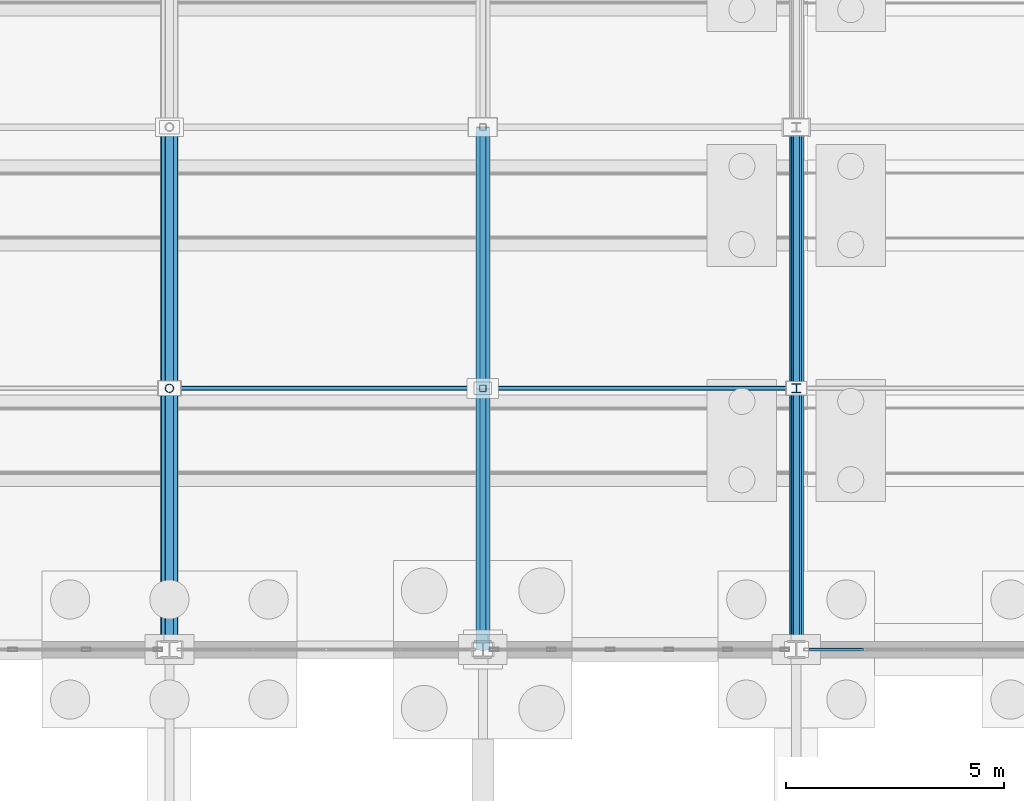
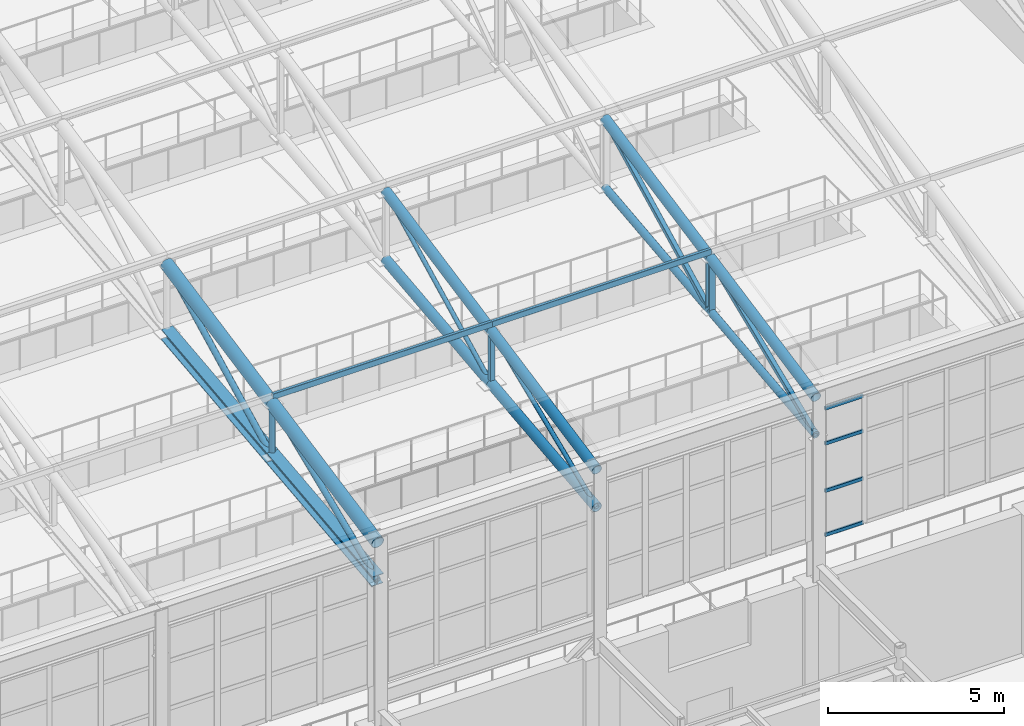
# One storey, part 171 of 293: 27 members, 1 element without a shape of its own.
"""IFC4 building model written with IfcOpenShell, lengths in metres."""

import ifcopenshell
import ifcopenshell.guid

model = None  # the IFC model being written
_history = None  # IfcOwnerHistory: only IFC2X3 demands one
_inside = {}  # id of a spatial element -> (the spatial element, [elements in it])
_under = {}  # id of a project, library or spatial element -> (it, [spatial elements below it])
_declared = {}  # id of a project -> (the project, [libraries it declares])
_typed = {}  # id of a type object -> (the type object, [elements of that type])
_made_of = {}  # id of a material, layer set ... -> (it, [elements and type objects made of it])


def new_model(schema):
    """Start an empty IFC model of exactly this schema.

    Asked for "IFC4X3", IfcOpenShell would pick the latest addendum, in which some entities
    have other attributes; the version numbers below select the first issue.
    IFC2X3 requires an IfcOwnerHistory on every rooted entity: one is made here for all.
    """
    global model, _history
    if schema == "IFC4X3":
        model = ifcopenshell.file(schema_version=(4, 3, 0, 0))
    else:
        model = ifcopenshell.file(schema=schema)
    _inside.clear()
    _under.clear()
    _declared.clear()
    _typed.clear()
    _made_of.clear()
    _history = None
    if model.schema == "IFC2X3":
        org = make("IfcOrganization", Name="unknown")
        user = make(
            "IfcPersonAndOrganization",
            ThePerson=make("IfcPerson", FamilyName="unknown"),
            TheOrganization=org,
        )
        app = make(
            "IfcApplication",
            ApplicationDeveloper=org,
            Version="unknown",
            ApplicationFullName="unknown",
            ApplicationIdentifier="unknown",
        )
        _history = make(
            "IfcOwnerHistory",
            OwningUser=user,
            OwningApplication=app,
            ChangeAction="ADDED",
            CreationDate=0,
        )
    return model


def make(cls, **values):
    """One entity of the class cls with the attributes given. An attribute that is None is left unset."""
    return model.create_entity(
        cls, **{name: value for name, value in values.items() if value is not None}
    )


def rooted(cls, **values):
    """An entity with a GlobalId (a new one), such as an element, a storey or a relation."""
    return make(cls, GlobalId=ifcopenshell.guid.new(), OwnerHistory=_history, **values)


def si_unit(unit_type, name, prefix=None):
    """IfcSIUnit, for example si_unit("LENGTHUNIT", "METRE", prefix="MILLI")."""
    return make("IfcSIUnit", UnitType=unit_type, Prefix=prefix, Name=name)


def assignment(units):
    """IfcUnitAssignment: the units of a project."""
    return None if units is None else make("IfcUnitAssignment", Units=units)


def point(xyz):
    """IfcCartesianPoint."""
    return None if xyz is None else make("IfcCartesianPoint", Coordinates=xyz)


def direction(xyz):
    """IfcDirection."""
    return None if xyz is None else make("IfcDirection", DirectionRatios=xyz)


def frame(location, z_axis=None, x_axis=None):
    """IfcAxis2Placement3D, a coordinate frame: its origin and axes. An axis left out is left unset."""
    return make(
        "IfcAxis2Placement3D",
        Location=point(location),
        Axis=direction(z_axis),
        RefDirection=direction(x_axis),
    )


def frame_2d(location, x_axis=None):
    """IfcAxis2Placement2D, a coordinate frame in the plane: its origin and x axis."""
    return make(
        "IfcAxis2Placement2D", Location=point(location), RefDirection=direction(x_axis)
    )


def origin():
    """The frame at (0, 0, 0) with its axes left unset."""
    return frame((0.0, 0.0, 0.0))


def origin_2d():
    """The frame at (0, 0) in the plane with its x axis left unset."""
    return frame_2d((0.0, 0.0))


def place(relative_to, where):
    """IfcLocalPlacement: puts the frame where relative to a parent placement (None: the world)."""
    return make(
        "IfcLocalPlacement", PlacementRelTo=relative_to, RelativePlacement=where
    )


def context(
    kind, dimensions, precision=None, world=None, true_north=None, identifier=None
):
    """IfcGeometricRepresentationContext, for example the 3D "Model" context."""
    return make(
        "IfcGeometricRepresentationContext",
        ContextIdentifier=identifier,
        ContextType=kind,
        CoordinateSpaceDimension=dimensions,
        Precision=precision,
        WorldCoordinateSystem=world,
        TrueNorth=true_north,
    )


def subcontext(parent, identifier, kind, view, scale=None):
    """IfcGeometricRepresentationSubContext, for example "Body" below "Model"."""
    return make(
        "IfcGeometricRepresentationSubContext",
        ContextIdentifier=identifier,
        ContextType=kind,
        ParentContext=parent,
        TargetScale=scale,
        TargetView=view,
    )


def project(units=None, contexts=None):
    """IfcProject with its units and contexts."""
    return rooted(
        "IfcProject",
        Name="project",
        RepresentationContexts=contexts,
        UnitsInContext=assignment(units),
    )


def spatial(cls, under=None, at=None, **own):
    """A site, building, storey or space (cls), placed at a placement, below another one or the project."""
    s = rooted(cls, ObjectPlacement=at, **own)
    if under is not None:
        _under.setdefault(under.id(), (under, []))[1].append(s)
    return s


def profile(cls, at=None, kind="AREA", **sizes):
    """A parametric profile (cls). Its sizes go by their IFC names, for example OverallWidth=200.0."""
    return make(cls, ProfileType=kind, Position=at, **sizes)


def hollow_rectangle(**sizes):
    """IfcRectangleHollowProfileDef."""
    return profile("IfcRectangleHollowProfileDef", **sizes)


def hollow_circle(**sizes):
    """IfcCircleHollowProfileDef."""
    return profile("IfcCircleHollowProfileDef", **sizes)


def i_section(**sizes):
    """IfcIShapeProfileDef."""
    return profile("IfcIShapeProfileDef", **sizes)


def extrude(swept, where, along, depth):
    """IfcExtrudedAreaSolid: the profile swept, set in the frame where, extruded along a direction by depth."""
    return make(
        "IfcExtrudedAreaSolid",
        SweptArea=swept,
        Position=where,
        ExtrudedDirection=direction(along),
        Depth=depth,
    )


def shape(context_of_items, identifier, shape_type, items):
    """IfcShapeRepresentation: the items that make up one representation, for example the "Body"."""
    return make(
        "IfcShapeRepresentation",
        ContextOfItems=context_of_items,
        RepresentationIdentifier=identifier,
        RepresentationType=shape_type,
        Items=items,
    )


def material(Name=None, Category=None):
    """IfcMaterial."""
    return make("IfcMaterial", Name=Name, Category=Category)


def layer(
    of_material, thickness, ventilated=None, Name=None, Category=None, Priority=None
):
    """IfcMaterialLayer: one layer of a wall or slab, of a material (None: an air gap)."""
    return make(
        "IfcMaterialLayer",
        Material=of_material,
        LayerThickness=thickness,
        IsVentilated=ventilated,
        Name=Name,
        Category=Category,
        Priority=Priority,
    )


def layer_set(layers, Name=None):
    """IfcMaterialLayerSet."""
    return make("IfcMaterialLayerSet", MaterialLayers=layers, LayerSetName=Name)


def material_profile(
    of_material, cross_section, Name=None, Category=None, Priority=None
):
    """IfcMaterialProfile: a cross section and its material."""
    return make(
        "IfcMaterialProfile",
        Name=Name,
        Material=of_material,
        Profile=cross_section,
        Priority=Priority,
        Category=Category,
    )


def profile_set(profiles, Name=None, composite=None):
    """IfcMaterialProfileSet."""
    return make(
        "IfcMaterialProfileSet",
        Name=Name,
        MaterialProfiles=profiles,
        CompositeProfile=composite,
    )


def made_of(thing, what):
    """Note that an element or type object is made of a material, layer set ...; save() writes the relation."""
    if what is not None:
        _made_of.setdefault(what.id(), (what, []))[1].append(thing)
    return thing


def type_object(cls, material=None, **own):
    """A type object (cls), such as IfcWallType, which elements share."""
    return made_of(rooted(cls, **own), material)


def element(
    cls,
    number,
    at=None,
    inside=None,
    cuts=None,
    type_object=None,
    material=None,
    context=None,
    identifier="Body",
    shape_type=None,
    held_by="IfcProductDefinitionShape",
    body=None,
    shapes=None,
    **own,
):
    """One element of the class cls, such as IfcWall. Its Tag is "e" and its number.

    at: its placement. inside: the storey or other place that contains it. cuts: it is an
    opening in that element (IfcRelVoidsElement). A single representation is given by context,
    identifier, shape_type and body (its items); several are given by shapes. held_by: the class
    of the entity that holds the representations. save() writes the other relations.
    """
    e = rooted(cls, Tag="e%d" % number, ObjectPlacement=at, **own)
    if body is not None:
        shapes = [shape(context, identifier, shape_type, body)]
    if shapes is not None:
        e.Representation = make(held_by, Representations=shapes)
    if inside is not None:
        _inside.setdefault(inside.id(), (inside, []))[1].append(e)
    if cuts is not None:
        rooted(
            "IfcRelVoidsElement", RelatingBuildingElement=cuts, RelatedOpeningElement=e
        )
    if type_object is not None:
        _typed.setdefault(type_object.id(), (type_object, []))[1].append(e)
    return made_of(e, material)


def aggregate(whole, parts):
    """IfcRelAggregates: a whole, such as a stair, and the parts it consists of."""
    return rooted("IfcRelAggregates", RelatingObject=whole, RelatedObjects=parts)


def save(model, path):
    """Write the relations noted so far, then the file.

    IfcRelAggregates (storeys below a building ...), IfcRelContainedInSpatialStructure (elements
    in a storey), IfcRelDefinesByType, IfcRelAssociatesMaterial and IfcRelDeclares: one each for
    every whole, place, type object, material and project.
    """
    for whole, parts in _under.values():
        aggregate(whole, parts)
    for where, things in _inside.values():
        rooted(
            "IfcRelContainedInSpatialStructure",
            RelatedElements=things,
            RelatingStructure=where,
        )
    for kind, things in _typed.values():
        rooted("IfcRelDefinesByType", RelatedObjects=things, RelatingType=kind)
    for what, things in _made_of.values():
        rooted("IfcRelAssociatesMaterial", RelatedObjects=things, RelatingMaterial=what)
    for by, libraries in _declared.values():
        rooted("IfcRelDeclares", RelatingContext=by, RelatedDefinitions=libraries)
    model.write(path)


model = new_model("IFC4")

# Units and contexts
model_context = context("Model", 3, precision=1e-05, world=origin(), true_north=direction((0.0, 1.0)))
body_context = subcontext(model_context, "Body", "Model", "MODEL_VIEW")
ifc_project = project(units=[si_unit("LENGTHUNIT", "METRE"), si_unit("AREAUNIT", "SQUARE_METRE"), si_unit("VOLUMEUNIT", "CUBIC_METRE"), si_unit("PLANEANGLEUNIT", "RADIAN"), si_unit("MASSUNIT", "GRAM", prefix="KILO")], contexts=[model_context])

# Site, building, storey
site_placement = place(None, origin())
site = spatial("IfcSite", under=ifc_project, at=site_placement, CompositionType="ELEMENT")
building_placement = place(site_placement, origin())
building = spatial("IfcBuilding", under=site, at=building_placement, Name="Kemerveld Promenade Tramway Depot", CompositionType="ELEMENT")
storey_placement = place(building_placement, origin())
storey = spatial("IfcBuildingStorey", under=building, at=storey_placement, Name="L00", CompositionType="ELEMENT", Elevation=0.0)

# Curtain wall, members
ifc_material_1 = material(Name="Bronze anodised aluminium and solar glass", Category="aluminium")
ifc_layer = layer(ifc_material_1, 0.159912109375)
ifc_layer_set = layer_set([ifc_layer], Name="CW-SYS-07")
curtain_wall_type = type_object("IfcCurtainWallType", Name="CW-SYS-07", PredefinedType="USERDEFINED", material=ifc_layer_set)
curtain_wall_placement = place(storey_placement, origin())
curtain_wall = element("IfcCurtainWall", 1, at=curtain_wall_placement, inside=storey, type_object=curtain_wall_type, Name="CW-V1-S-18", ObjectType="GLAZED_CURTAIN_WALL", PredefinedType="USERDEFINED")
ifc_material_2 = material(Name="Bronze anodised aluminium", Category="aluminium")
ifc_material_profile_1 = material_profile(ifc_material_2, hollow_rectangle(XDim=0.06005859375, YDim=0.1201171875, WallThickness=0.00390625, InnerFilletRadius=0.001953125, OuterFilletRadius=0.00390625, at=origin_2d()), Name="CW-TRN-120x60")
ifc_profile_set_1 = profile_set([ifc_material_profile_1], Name="Bronze anodised aluminium")
member_type_1 = type_object("IfcMemberType", Name="CW-TRN-A", PredefinedType="USERDEFINED", material=ifc_profile_set_1)
member_1_placement = place(storey_placement, frame((159.94140625, 84.0, 6.22998046875), z_axis=(-1.0, 0.0, 0.0), x_axis=(0.0, -1.0, 0.0)))
member_1 = element("IfcMember", 2, at=member_1_placement, type_object=member_type_1, Name="CW07 transom 5.1", ObjectType="TRANSOM", PredefinedType="USERDEFINED", context=body_context, shape_type="SweptSolid", body=[
    extrude(hollow_rectangle(XDim=0.06005859375, YDim=0.1201171875, WallThickness=0.00390625, InnerFilletRadius=0.001953125, OuterFilletRadius=0.00390625, at=origin_2d()), origin(), (0.0, 0.0, 1.0), 1.253173828125),
])
member_2_placement = place(storey_placement, frame((159.94140625, 84.0, 7.758056640625), z_axis=(-1.0, 0.0, 0.0), x_axis=(0.0, -1.0, 0.0)))
member_2 = element("IfcMember", 3, at=member_2_placement, type_object=member_type_1, Name="CW07 transom 5.2", ObjectType="TRANSOM", PredefinedType="USERDEFINED", context=body_context, shape_type="SweptSolid", body=[
    extrude(hollow_rectangle(XDim=0.06005859375, YDim=0.1201171875, WallThickness=0.00390625, InnerFilletRadius=0.001953125, OuterFilletRadius=0.00390625, at=origin_2d()), origin(), (0.0, 0.0, 1.0), 1.253173828125),
])
member_3_placement = place(storey_placement, frame((159.94140625, 84.0, 9.404052734375), z_axis=(-1.0, 0.0, 0.0), x_axis=(0.0, -1.0, 0.0)))
member_3 = element("IfcMember", 4, at=member_3_placement, type_object=member_type_1, Name="CW07 transom 5.3", ObjectType="TRANSOM", PredefinedType="USERDEFINED", context=body_context, shape_type="SweptSolid", body=[
    extrude(hollow_rectangle(XDim=0.06005859375, YDim=0.1201171875, WallThickness=0.00390625, InnerFilletRadius=0.001953125, OuterFilletRadius=0.00390625, at=origin_2d()), origin(), (0.0, 0.0, 1.0), 1.253173828125),
])
member_4_placement = place(storey_placement, frame((159.94140625, 84.0, 10.6201171875), z_axis=(-1.0, 0.0, 0.0), x_axis=(0.0, -1.0, 0.0)))
member_4 = element("IfcMember", 5, at=member_4_placement, type_object=member_type_1, Name="CW07 transom 5.4", ObjectType="TRANSOM", PredefinedType="USERDEFINED", context=body_context, shape_type="SweptSolid", body=[
    extrude(hollow_rectangle(XDim=0.06005859375, YDim=0.1201171875, WallThickness=0.00390625, InnerFilletRadius=0.001953125, OuterFilletRadius=0.00390625, at=origin_2d()), origin(), (0.0, 0.0, 1.0), 1.253173828125),
])
aggregate(curtain_wall, [member_1, member_2, member_3, member_4])

# Members
ifc_material_3 = material(Name="Steel S355", Category="steel")
ifc_material_profile_2 = material_profile(ifc_material_3, i_section(OverallWidth=0.37255859375, OverallDepth=0.3681640625, WebThickness=0.014404296875, FlangeThickness=0.023681640625, FilletRadius=0.01513671875, at=origin_2d()), Name="356x368x177 UC")
ifc_profile_set_2 = profile_set([ifc_material_profile_2], Name="Steel S355")
member_type_2 = type_object("IfcMemberType", Name="MB-M08", PredefinedType="CHORD", material=ifc_profile_set_2)
for number, where, z_axis, x_axis, name in (
    (6, (144.0, 84.0, 9.800048828125), (0.0, 0.994005938353, 0.109326092585), (-1.0, 0.0, 0.0), "TR-21-BC-01"),
    (7, (144.0, 90.0, 10.4599609375), (0.0, 0.994001542248, 0.109366055104), (-1.0, 0.0, 0.0), "TR-21-BC-02"),
):
    element("IfcMember", number, at=place(storey_placement, frame(where, z_axis=z_axis, x_axis=x_axis)), inside=storey, type_object=member_type_2, Name=name, PredefinedType="CHORD", context=body_context, shape_type="SweptSolid", body=[
        extrude(i_section(OverallWidth=0.37255859375, OverallDepth=0.3681640625, WebThickness=0.014404296875, FlangeThickness=0.023681640625, FilletRadius=0.01513671875, at=origin_2d()), origin(), (0.0, 0.0, 1.0), 6.0361328125),
    ])
ifc_material_profile_3 = material_profile(ifc_material_3, hollow_rectangle(XDim=0.10009765625, YDim=0.199951171875, WallThickness=0.008056640625, InnerFilletRadius=0.00390625, OuterFilletRadius=0.011962890625, at=origin_2d()), Name="200x100x8.0 RHS")
ifc_profile_set_3 = profile_set([ifc_material_profile_3], Name="Steel S355")
member_type_3 = type_object("IfcMemberType", Name="MB-PR2", PredefinedType="PURLIN", material=ifc_profile_set_3)
for number, where, z_axis, x_axis, name in (
    (8, (144.0, 90.0, 12.544921875), (1.0, 0.0, 0.0), (0.0, 1.0, 0.0), "PUR-V1-01-21"),
    (9, (151.199951171875, 90.0, 12.544921875), (1.0, 0.0, 0.0), (0.0, 1.0, 0.0), "PUR-V1-01-22"),
):
    element("IfcMember", number, at=place(storey_placement, frame(where, z_axis=z_axis, x_axis=x_axis)), inside=storey, type_object=member_type_3, Name=name, PredefinedType="PURLIN", context=body_context, shape_type="SweptSolid", body=[
        extrude(hollow_rectangle(XDim=0.10009765625, YDim=0.199951171875, WallThickness=0.008056640625, InnerFilletRadius=0.00390625, OuterFilletRadius=0.011962890625, at=origin_2d()), origin(), (0.0, 0.0, 1.0), 7.199951171875),
    ])
ifc_material_profile_4 = material_profile(ifc_material_3, hollow_circle(Radius=0.096923828125, WallThickness=0.008056640625, at=origin_2d()), Name="193.7x8.0 CHS")
ifc_profile_set_4 = profile_set([ifc_material_profile_4], Name="Steel S355")
member_type_4 = type_object("IfcMemberType", Name="MB-TB2", PredefinedType="BRACE", material=ifc_profile_set_4)
member_5_placement = place(storey_placement, frame((144.0, 84.0, 9.800048828125), z_axis=(0.0, 0.923076923077, 0.384615384615), x_axis=(-1.0, 0.0, 0.0)))
element("IfcMember", 10, at=member_5_placement, inside=storey, type_object=member_type_4, Name="TR-21-DG-01", PredefinedType="BRACE", context=body_context, shape_type="SweptSolid", body=[
    extrude(hollow_circle(Radius=0.096923828125, WallThickness=0.008056640625, at=origin_2d()), origin(), (0.0, 0.0, 1.0), 6.5),
])
member_6_placement = place(storey_placement, frame((144.0, 90.0, 10.4599609375), z_axis=(0.0, 0.892033434612, 0.451969414379), x_axis=(-1.0, 0.0, 0.0)))
element("IfcMember", 11, at=member_6_placement, inside=storey, type_object=member_type_4, Name="TR-21-DG-02", PredefinedType="BRACE", context=body_context, shape_type="SweptSolid", body=[
    extrude(hollow_circle(Radius=0.096923828125, WallThickness=0.008056640625, at=origin_2d()), origin(), (0.0, 0.0, 1.0), 6.726318359375),
])
ifc_material_profile_5 = material_profile(ifc_material_3, hollow_circle(Radius=0.06982421875, WallThickness=0.00634765625, at=origin_2d()), Name="139.7x6.3 CHS")
ifc_profile_set_5 = profile_set([ifc_material_profile_5], Name="Steel S355")
member_type_5 = type_object("IfcMemberType", Name="MB-TB3", PredefinedType="BRACE", material=ifc_profile_set_5)
member_7_placement = place(storey_placement, frame((151.199951171875, 84.0, 9.800048828125), z_axis=(0.0, 0.923076923077, 0.384615384615), x_axis=(-1.0, 0.0, 0.0)))
element("IfcMember", 12, at=member_7_placement, inside=storey, type_object=member_type_5, Name="TR-22-DG-01", PredefinedType="BRACE", context=body_context, shape_type="SweptSolid", body=[
    extrude(hollow_circle(Radius=0.06982421875, WallThickness=0.00634765625, at=origin_2d()), origin(), (0.0, 0.0, 1.0), 6.5),
])
member_8_placement = place(storey_placement, frame((151.199951171875, 90.0, 10.4599609375), z_axis=(0.0, 0.892033434612, 0.451969414379), x_axis=(-1.0, 0.0, 0.0)))
element("IfcMember", 13, at=member_8_placement, inside=storey, type_object=member_type_5, Name="TR-22-DG-02", PredefinedType="BRACE", context=body_context, shape_type="SweptSolid", body=[
    extrude(hollow_circle(Radius=0.06982421875, WallThickness=0.00634765625, at=origin_2d()), origin(), (0.0, 0.0, 1.0), 6.726318359375),
])
ifc_material_profile_6 = material_profile(ifc_material_3, hollow_rectangle(XDim=0.14990234375, YDim=0.14990234375, WallThickness=0.008056640625, InnerFilletRadius=0.00390625, OuterFilletRadius=0.011962890625, at=origin_2d()), Name="150x150x8.0 SHS")
ifc_profile_set_6 = profile_set([ifc_material_profile_6], Name="Steel S355")
member_type_6 = type_object("IfcMemberType", Name="MB-TB4", PredefinedType="BRACE", material=ifc_profile_set_6)
member_9_placement = place(storey_placement, frame((158.39990234375, 84.0, 9.800048828125), z_axis=(0.0, 0.923076923077, 0.384615384615), x_axis=(-1.0, 0.0, 0.0)))
element("IfcMember", 14, at=member_9_placement, inside=storey, type_object=member_type_6, Name="TR-23-DG-01", PredefinedType="BRACE", context=body_context, shape_type="SweptSolid", body=[
    extrude(hollow_rectangle(XDim=0.14990234375, YDim=0.14990234375, WallThickness=0.008056640625, InnerFilletRadius=0.00390625, OuterFilletRadius=0.011962890625, at=origin_2d()), origin(), (0.0, 0.0, 1.0), 6.5),
])
member_10_placement = place(storey_placement, frame((158.39990234375, 90.0, 10.4599609375), z_axis=(0.0, 0.892033434612, 0.451969414379), x_axis=(-1.0, 0.0, 0.0)))
element("IfcMember", 15, at=member_10_placement, inside=storey, type_object=member_type_6, Name="TR-23-DG-02", PredefinedType="BRACE", context=body_context, shape_type="SweptSolid", body=[
    extrude(hollow_rectangle(XDim=0.14990234375, YDim=0.14990234375, WallThickness=0.008056640625, InnerFilletRadius=0.00390625, OuterFilletRadius=0.011962890625, at=origin_2d()), origin(), (0.0, 0.0, 1.0), 6.726318359375),
])
ifc_material_profile_7 = material_profile(ifc_material_3, hollow_circle(Radius=0.203125, WallThickness=0.01611328125, at=origin_2d()), Name="406.4x16.0 CHS")
ifc_profile_set_7 = profile_set([ifc_material_profile_7], Name="Steel S355")
member_type_7 = type_object("IfcMemberType", Name="MB-TC1", PredefinedType="CHORD", material=ifc_profile_set_7)
for number, where, z_axis, x_axis, name in (
    (16, (144.0, 84.0, 11.10009765625), (0.0, 0.980582210276, 0.196108462057), (-1.0, 0.0, 0.0), "TR-21-TC-01"),
    (17, (144.0, 90.0, 12.300048828125), (0.0, 0.980582210276, 0.196108462057), (-1.0, 0.0, 0.0), "TR-21-TC-02"),
):
    element("IfcMember", number, at=place(storey_placement, frame(where, z_axis=z_axis, x_axis=x_axis)), inside=storey, type_object=member_type_7, Name=name, PredefinedType="CHORD", context=body_context, shape_type="SweptSolid", body=[
        extrude(hollow_circle(Radius=0.203125, WallThickness=0.01611328125, at=origin_2d()), origin(), (0.0, 0.0, 1.0), 6.118896484375),
    ])
ifc_material_profile_8 = material_profile(ifc_material_3, hollow_circle(Radius=0.161865234375, WallThickness=0.012451171875, at=origin_2d()), Name="323.9x12.5 CHS")
ifc_profile_set_8 = profile_set([ifc_material_profile_8], Name="Steel S355")
member_type_8 = type_object("IfcMemberType", Name="MB-TC2", PredefinedType="CHORD", material=ifc_profile_set_8)
member_11_placement = place(storey_placement, frame((151.199951171875, 84.0, 11.10009765625), z_axis=(0.0, 0.980582210276, 0.196108462057), x_axis=(-1.0, 0.0, 0.0)))
element("IfcMember", 18, at=member_11_placement, inside=storey, type_object=member_type_8, Name="TR-22-TC-01", PredefinedType="CHORD", context=body_context, shape_type="SweptSolid", body=[
    extrude(hollow_circle(Radius=0.161865234375, WallThickness=0.012451171875, at=origin_2d()), origin(), (0.0, 0.0, 1.0), 6.118896484375),
])
member_12_placement = place(storey_placement, frame((151.199951171875, 84.0, 9.800048828125), z_axis=(0.0, 0.994005938353, 0.109326092585), x_axis=(-1.0, 0.0, 0.0)))
element("IfcMember", 19, at=member_12_placement, inside=storey, type_object=member_type_8, Name="TR-22-BC-01", PredefinedType="CHORD", context=body_context, shape_type="SweptSolid", body=[
    extrude(hollow_circle(Radius=0.161865234375, WallThickness=0.012451171875, at=origin_2d()), origin(), (0.0, 0.0, 1.0), 6.0361328125),
])
member_13_placement = place(storey_placement, frame((151.199951171875, 90.0, 12.300048828125), z_axis=(0.0, 0.980582210276, 0.196108462057), x_axis=(-1.0, 0.0, 0.0)))
element("IfcMember", 20, at=member_13_placement, inside=storey, type_object=member_type_8, Name="TR-22-TC-02", PredefinedType="CHORD", context=body_context, shape_type="SweptSolid", body=[
    extrude(hollow_circle(Radius=0.161865234375, WallThickness=0.012451171875, at=origin_2d()), origin(), (0.0, 0.0, 1.0), 6.118896484375),
])
member_14_placement = place(storey_placement, frame((151.199951171875, 90.0, 10.4599609375), z_axis=(0.0, 0.994001542248, 0.109366055104), x_axis=(-1.0, 0.0, 0.0)))
element("IfcMember", 21, at=member_14_placement, inside=storey, type_object=member_type_8, Name="TR-22-BC-02", PredefinedType="CHORD", context=body_context, shape_type="SweptSolid", body=[
    extrude(hollow_circle(Radius=0.161865234375, WallThickness=0.012451171875, at=origin_2d()), origin(), (0.0, 0.0, 1.0), 6.0361328125),
])
for number, where, z_axis, x_axis, name in (
    (22, (158.39990234375, 84.0, 11.10009765625), (0.0, 0.980582210276, 0.196108462057), (-1.0, 0.0, 0.0), "TR-23-TC-01"),
    (23, (158.39990234375, 90.0, 12.300048828125), (0.0, 0.980582210276, 0.196108462057), (-1.0, 0.0, 0.0), "TR-23-TC-02"),
):
    element("IfcMember", number, at=place(storey_placement, frame(where, z_axis=z_axis, x_axis=x_axis)), inside=storey, type_object=member_type_8, Name=name, PredefinedType="CHORD", context=body_context, shape_type="SweptSolid", body=[
        extrude(hollow_circle(Radius=0.161865234375, WallThickness=0.012451171875, at=origin_2d()), origin(), (0.0, 0.0, 1.0), 6.118896484375),
    ])
ifc_material_profile_9 = material_profile(ifc_material_3, hollow_circle(Radius=0.122314453125, WallThickness=0.010009765625, at=origin_2d()), Name="244.5x10.0 CHS")
ifc_profile_set_9 = profile_set([ifc_material_profile_9], Name="Steel S355")
member_type_9 = type_object("IfcMemberType", Name="MB-TC3", PredefinedType="CHORD", material=ifc_profile_set_9)
for number, where, z_axis, x_axis, name in (
    (24, (158.39990234375, 84.0, 9.800048828125), (0.0, 0.994005938353, 0.109326092585), (-1.0, 0.0, 0.0), "TR-23-BC-01"),
    (25, (158.39990234375, 90.0, 10.4599609375), (0.0, 0.994001542248, 0.109366055104), (-1.0, 0.0, 0.0), "TR-23-BC-02"),
):
    element("IfcMember", number, at=place(storey_placement, frame(where, z_axis=z_axis, x_axis=x_axis)), inside=storey, type_object=member_type_9, Name=name, PredefinedType="CHORD", context=body_context, shape_type="SweptSolid", body=[
        extrude(hollow_circle(Radius=0.122314453125, WallThickness=0.010009765625, at=origin_2d()), origin(), (0.0, 0.0, 1.0), 6.0361328125),
    ])
ifc_material_profile_10 = material_profile(ifc_material_3, hollow_circle(Radius=0.096923828125, WallThickness=0.008056640625, at=origin_2d()), Name="193.7x8.0 CHS")
ifc_profile_set_10 = profile_set([ifc_material_profile_10], Name="Steel S355")
member_type_10 = type_object("IfcMemberType", Name="MB-TP1", PredefinedType="POST", material=ifc_profile_set_10)
member_15_placement = place(storey_placement, frame((144.0, 90.0, 10.4599609375), z_axis=(0.0, 0.0, 1.0), x_axis=(1.0, 0.0, 0.0)))
element("IfcMember", 26, at=member_15_placement, inside=storey, type_object=member_type_10, Name="TR-21-VT-01", PredefinedType="POST", context=body_context, shape_type="SweptSolid", body=[
    extrude(hollow_circle(Radius=0.096923828125, WallThickness=0.008056640625, at=origin_2d()), origin(), (0.0, 0.0, 1.0), 1.840087890625),
])
ifc_material_profile_11 = material_profile(ifc_material_3, hollow_rectangle(XDim=0.14990234375, YDim=0.14990234375, WallThickness=0.008056640625, InnerFilletRadius=0.00390625, OuterFilletRadius=0.011962890625, at=origin_2d()), Name="150x150x8.0 SHS")
ifc_profile_set_11 = profile_set([ifc_material_profile_11], Name="Steel S355")
member_type_11 = type_object("IfcMemberType", Name="MB-TP2", PredefinedType="POST", material=ifc_profile_set_11)
member_16_placement = place(storey_placement, frame((151.199951171875, 90.0, 10.4599609375), z_axis=(0.0, 0.0, 1.0), x_axis=(1.0, 0.0, 0.0)))
element("IfcMember", 27, at=member_16_placement, inside=storey, type_object=member_type_11, Name="TR-22-VT-01", PredefinedType="POST", context=body_context, shape_type="SweptSolid", body=[
    extrude(hollow_rectangle(XDim=0.14990234375, YDim=0.14990234375, WallThickness=0.008056640625, InnerFilletRadius=0.00390625, OuterFilletRadius=0.011962890625, at=origin_2d()), origin(), (0.0, 0.0, 1.0), 1.840087890625),
])
ifc_material_profile_12 = material_profile(ifc_material_3, i_section(OverallWidth=0.205810546875, OverallDepth=0.209716796875, WebThickness=0.009521484375, FlangeThickness=0.01416015625, FilletRadius=0.01025390625, at=origin_2d()), Name="203x203x60 UC")
ifc_profile_set_12 = profile_set([ifc_material_profile_12], Name="Steel S355")
member_type_12 = type_object("IfcMemberType", Name="MB-TP3", PredefinedType="POST", material=ifc_profile_set_12)
member_17_placement = place(storey_placement, frame((158.39990234375, 90.0, 10.4599609375), z_axis=(0.0, 0.0, 1.0), x_axis=(1.0, 0.0, 0.0)))
element("IfcMember", 28, at=member_17_placement, inside=storey, type_object=member_type_12, Name="TR-23-VT-01", PredefinedType="POST", context=body_context, shape_type="SweptSolid", body=[
    extrude(i_section(OverallWidth=0.205810546875, OverallDepth=0.209716796875, WebThickness=0.009521484375, FlangeThickness=0.01416015625, FilletRadius=0.01025390625, at=origin_2d()), origin(), (0.0, 0.0, 1.0), 1.840087890625),
])

save(model, "model.ifc")
